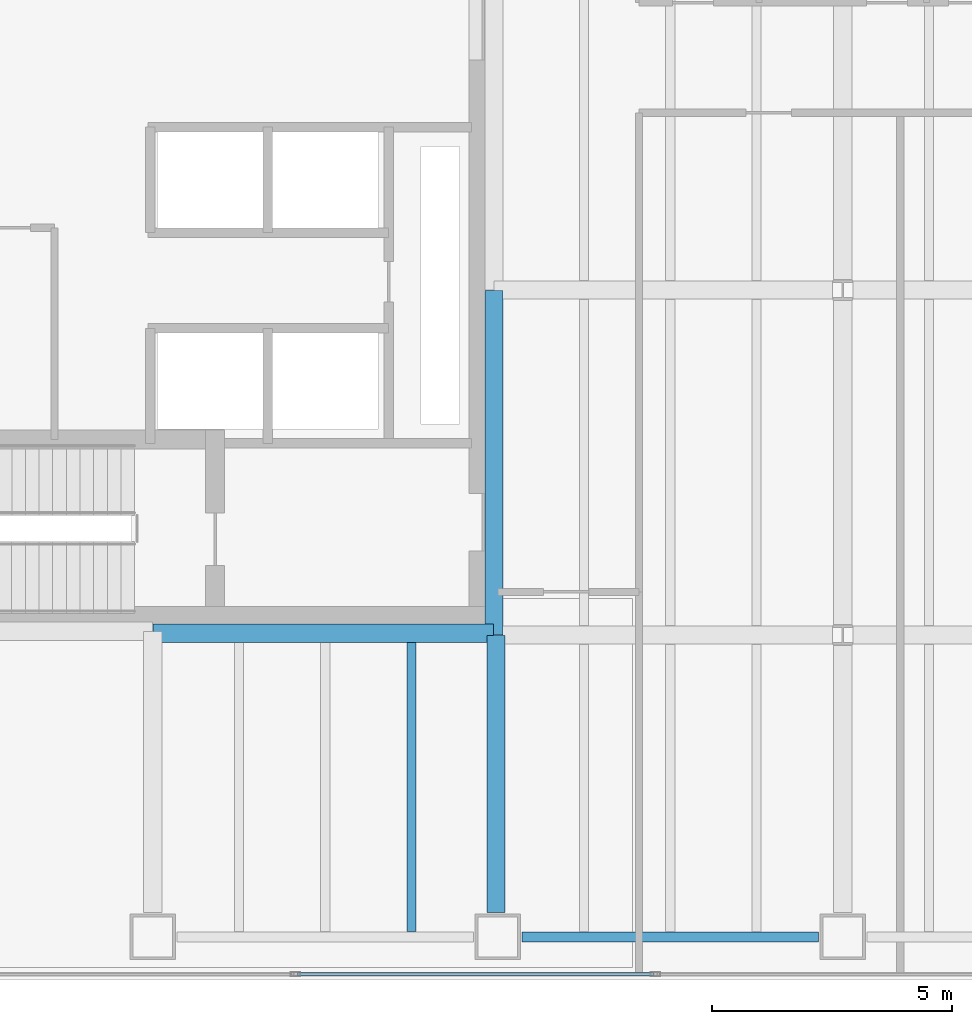
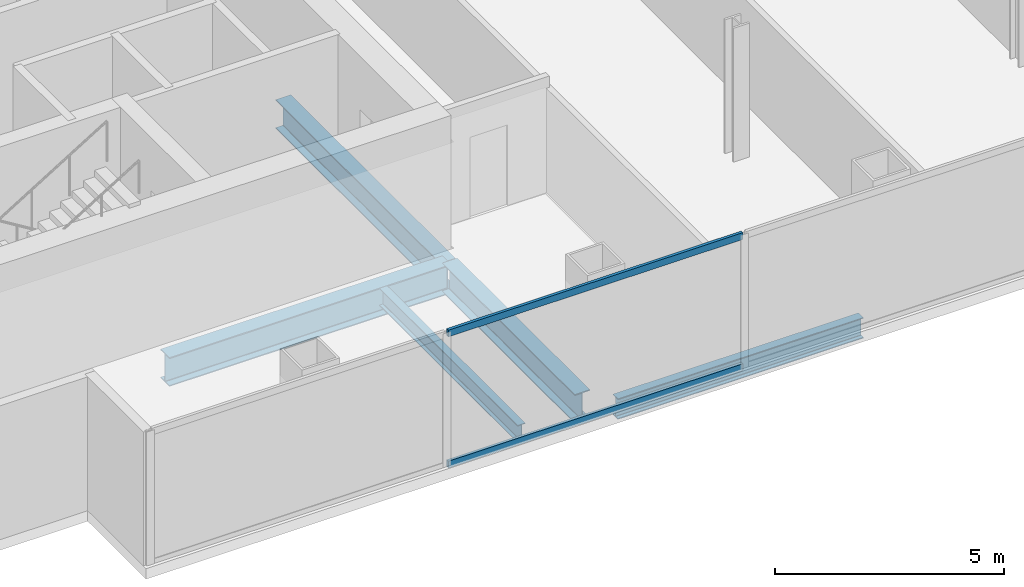
# One storey, part 3 of 24: 5 beams, 2 members, 1 element without a shape of its own.
"""IFC4 building model written with IfcOpenShell, lengths in metres."""

from ifc_helpers import new_model, si_unit, direction, frame, origin, origin_2d, place, context, subcontext, project, spatial, hollow_rectangle, i_section, extrude, material, material_profile, profile_set, type_object, element, aggregate, save


model = new_model("IFC4")

# Units and contexts
model_context = context("Model", 3, precision=1e-05, world=origin(), true_north=direction((0.0, 1.0)))
body_context = subcontext(model_context, "Body", "Model", "MODEL_VIEW")
ifc_project = project(units=[si_unit("LENGTHUNIT", "METRE"), si_unit("AREAUNIT", "SQUARE_METRE"), si_unit("VOLUMEUNIT", "CUBIC_METRE"), si_unit("PLANEANGLEUNIT", "RADIAN"), si_unit("MASSUNIT", "GRAM", prefix="KILO")], contexts=[model_context])

# Site, building, storey
site_placement = place(None, origin())
site = spatial("IfcSite", under=ifc_project, at=site_placement, CompositionType="ELEMENT")
building_placement = place(site_placement, origin())
building = spatial("IfcBuilding", under=site, at=building_placement, Name="Cobrela Telecom Tower", CompositionType="ELEMENT")
storey_placement = place(building_placement, frame((0.0, 0.0, 77.35009765625)))
storey = spatial("IfcBuildingStorey", under=building, at=storey_placement, Name="L19", CompositionType="ELEMENT", Elevation=77.35009765625)

# Beams
ifc_material_1 = material(Name="Steel ASTM A992 Grade 50", Category="steel")
ifc_material_profile_1 = material_profile(ifc_material_1, i_section(OverallWidth=0.381103515625, OverallDepth=0.77197265625, WebThickness=0.0166015625, FlangeThickness=0.027099609375, FilletRadius=0.01904296875, at=origin_2d()), Name="W30X173")
ifc_profile_set_1 = profile_set([ifc_material_profile_1], Name="Steel ASTM A992 Grade 50")
beam_type_1 = type_object("IfcBeamType", Name="BM-GIRD-04", PredefinedType="USERDEFINED", material=ifc_profile_set_1)
beam_1_placement = place(storey_placement, frame((7.205078125, 7.239990234375, -0.666015625), z_axis=(1.0, 0.0, 0.0), x_axis=(0.0, 1.0, 0.0)))
element("IfcBeam", 1, at=beam_1_placement, inside=storey, type_object=beam_type_1, Name="L19 Primary Girder X07", ObjectType="GIRDER", PredefinedType="USERDEFINED", context=body_context, shape_type="SweptSolid", body=[
    extrude(i_section(OverallWidth=0.381103515625, OverallDepth=0.77197265625, WebThickness=0.0166015625, FlangeThickness=0.027099609375, FilletRadius=0.01904296875, at=origin_2d()), origin(), (0.0, 0.0, 1.0), 7.10986328125),
])
beam_2_placement = place(storey_placement, frame((14.360107421875, 1.405029296875, -0.666015625), z_axis=(0.0, 1.0, 0.0), x_axis=(-1.0, 0.0, 0.0)))
element("IfcBeam", 2, at=beam_2_placement, inside=storey, type_object=beam_type_1, Name="L19 Primary Girder Y34", ObjectType="GIRDER", PredefinedType="USERDEFINED", context=body_context, shape_type="SweptSolid", body=[
    extrude(i_section(OverallWidth=0.381103515625, OverallDepth=0.77197265625, WebThickness=0.0166015625, FlangeThickness=0.027099609375, FilletRadius=0.01904296875, at=origin_2d()), origin(), (0.0, 0.0, 1.0), 5.7900390625),
])
beam_3_placement = place(storey_placement, frame((14.320068359375, 7.205078125, -0.666015625), z_axis=(0.0, 1.0, 0.0), x_axis=(-1.0, 0.0, 0.0)))
element("IfcBeam", 3, at=beam_3_placement, inside=storey, type_object=beam_type_1, Name="L19 Primary Girder Y35", ObjectType="GIRDER", PredefinedType="USERDEFINED", context=body_context, shape_type="SweptSolid", body=[
    extrude(i_section(OverallWidth=0.381103515625, OverallDepth=0.77197265625, WebThickness=0.0166015625, FlangeThickness=0.027099609375, FilletRadius=0.01904296875, at=origin_2d()), origin(), (0.0, 0.0, 1.0), 7.18994140625),
])
ifc_material_profile_2 = material_profile(ifc_material_1, i_section(OverallWidth=0.193115234375, OverallDepth=0.467041015625, WebThickness=0.011474609375, FlangeThickness=0.01904296875, FilletRadius=0.012939453125, at=origin_2d()), Name="W18X65")
ifc_profile_set_2 = profile_set([ifc_material_profile_2], Name="Steel ASTM A992 Grade 50")
beam_type_2 = type_object("IfcBeamType", Name="BM-JOIST-03", PredefinedType="JOIST", material=ifc_profile_set_2)
beam_4_placement = place(storey_placement, frame((12.60009765625, 1.011474609375, -0.513671875), z_axis=(0.0, 1.0, 0.0), x_axis=(-1.0, 0.0, 0.0)))
element("IfcBeam", 4, at=beam_4_placement, inside=storey, type_object=beam_type_2, Name="L19 Secondary Composite Floor Beam J05", PredefinedType="JOIST", context=body_context, shape_type="SweptSolid", body=[
    extrude(i_section(OverallWidth=0.193115234375, OverallDepth=0.467041015625, WebThickness=0.011474609375, FlangeThickness=0.01904296875, FilletRadius=0.012939453125, at=origin_2d()), origin(), (0.0, 0.0, 1.0), 6.032958984375),
])
ifc_material_profile_3 = material_profile(ifc_material_1, i_section(OverallWidth=0.212890625, OverallDepth=0.549072265625, WebThickness=0.0146484375, FlangeThickness=0.023681640625, FilletRadius=0.013916015625, at=origin_2d()), Name="W21X93")
ifc_profile_set_3 = profile_set([ifc_material_profile_3], Name="Steel ASTM A992 Grade 50")
beam_type_3 = type_object("IfcBeamType", Name="BM-SPAND-03", PredefinedType="SPANDREL", material=ifc_profile_set_3)
beam_5_placement = place(storey_placement, frame((14.905029296875, 0.89990234375, -0.5546875), z_axis=(1.0, 0.0, 0.0), x_axis=(0.0, 1.0, 0.0)))
element("IfcBeam", 5, at=beam_5_placement, inside=storey, type_object=beam_type_3, Name="L19 Perimeter Spandrel X02", PredefinedType="SPANDREL", context=body_context, shape_type="SweptSolid", body=[
    extrude(i_section(OverallWidth=0.212890625, OverallDepth=0.549072265625, WebThickness=0.0146484375, FlangeThickness=0.023681640625, FilletRadius=0.013916015625, at=origin_2d()), origin(), (0.0, 0.0, 1.0), 6.18994140625),
])

# Curtain wall, members
ifc_material_2 = material(Name="Anodized Bronze Aluminium 6063-T6", Category="aluminium")
curtain_wall_type = type_object("IfcCurtainWallType", Name="CW-SYS-DATA", PredefinedType="USERDEFINED", material=ifc_material_2)
curtain_wall_placement = place(storey_placement, origin())
curtain_wall = element("IfcCurtainWall", 6, at=curtain_wall_placement, inside=storey, type_object=curtain_wall_type, Name="L19 Unitised Bronze Curtain Wall 17", ObjectType="UNITISED CURTAIN WALL", PredefinedType="USERDEFINED")
ifc_material_profile_4 = material_profile(ifc_material_2, hollow_rectangle(XDim=0.074951171875, YDim=0.179931640625, WallThickness=0.00390625, at=origin_2d()), Name="ALU 75x180x4")
ifc_profile_set_4 = profile_set([ifc_material_profile_4], Name="Anodized Bronze Aluminium 6063-T6")
member_type = type_object("IfcMemberType", Name="CW-SYS-DATA-TRN", PredefinedType="USERDEFINED", material=ifc_profile_set_4)
member_1_placement = place(storey_placement, frame((17.64990234375, 0.1201171875, 0.037353515625), z_axis=(-1.0, 0.0, 0.0), x_axis=(0.0, -1.0, 0.0)))
member_1 = element("IfcMember", 7, at=member_1_placement, type_object=member_type, Name="CW-DATA transom 5.1", ObjectType="TRANSOM", PredefinedType="USERDEFINED", context=body_context, shape_type="SweptSolid", body=[
    extrude(hollow_rectangle(XDim=0.074951171875, YDim=0.179931640625, WallThickness=0.00390625, at=origin_2d()), origin(), (0.0, 0.0, 1.0), 7.429931640625),
])
member_2_placement = place(storey_placement, frame((17.64990234375, 0.1201171875, 3.532470703125), z_axis=(-1.0, 0.0, 0.0), x_axis=(0.0, -1.0, 0.0)))
member_2 = element("IfcMember", 8, at=member_2_placement, type_object=member_type, Name="CW-DATA transom 5.2", ObjectType="TRANSOM", PredefinedType="USERDEFINED", context=body_context, shape_type="SweptSolid", body=[
    extrude(hollow_rectangle(XDim=0.074951171875, YDim=0.179931640625, WallThickness=0.00390625, at=origin_2d()), origin(), (0.0, 0.0, 1.0), 7.429931640625),
])
aggregate(curtain_wall, [member_1, member_2])

save(model, "model.ifc")
